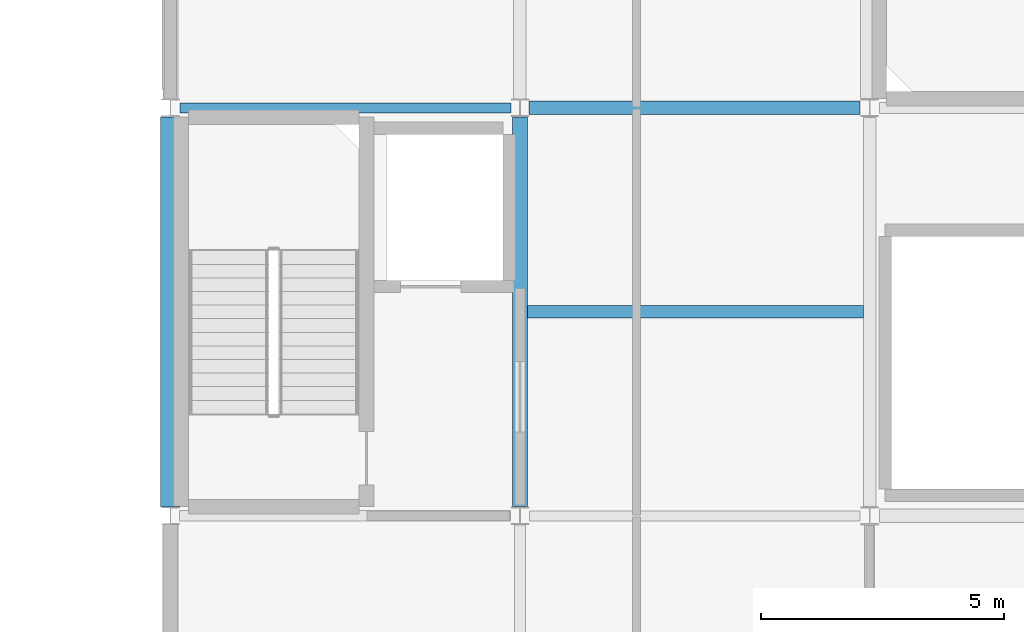
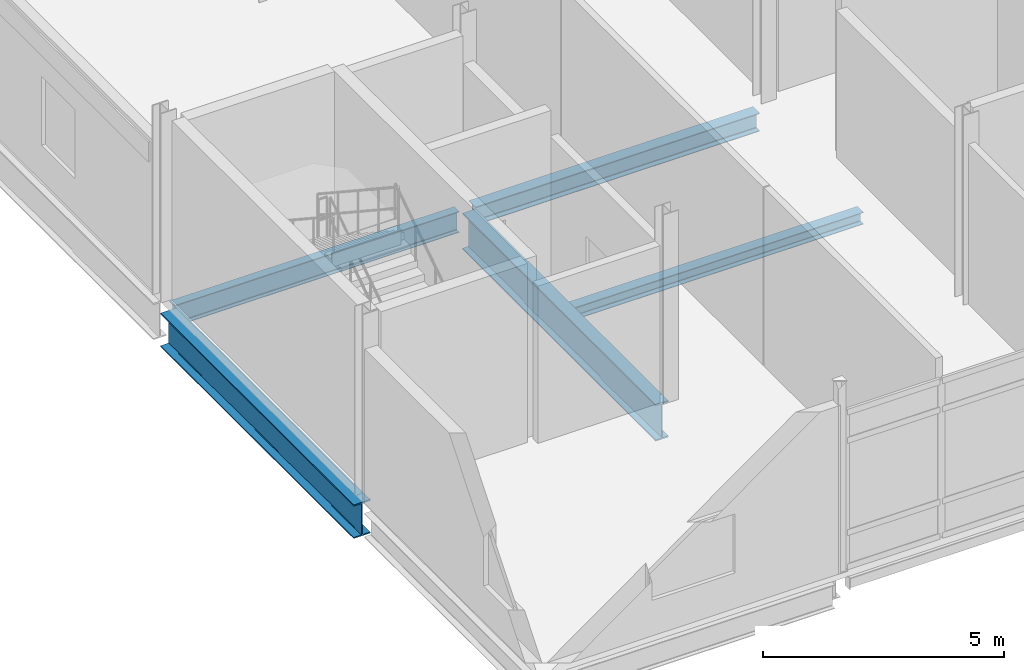
# One storey, part 23 of 72: 5 beams.
"""IFC4 building model written with IfcOpenShell, lengths in metres."""

from ifc_helpers import new_model, si_unit, direction, frame, origin, origin_2d, place, context, subcontext, project, spatial, i_section, extrude, material, material_profile, profile_set, type_object, element, save


model = new_model("IFC4")

# Units and contexts
model_context = context("Model", 3, precision=1e-05, world=origin(), true_north=direction((0.0, 1.0)))
body_context = subcontext(model_context, "Body", "Model", "MODEL_VIEW")
ifc_project = project(units=[si_unit("LENGTHUNIT", "METRE"), si_unit("AREAUNIT", "SQUARE_METRE"), si_unit("VOLUMEUNIT", "CUBIC_METRE"), si_unit("PLANEANGLEUNIT", "RADIAN"), si_unit("MASSUNIT", "GRAM", prefix="KILO")], contexts=[model_context])

# Site, building, storey
site_placement = place(None, origin())
site = spatial("IfcSite", under=ifc_project, at=site_placement, CompositionType="ELEMENT")
building_placement = place(site_placement, origin())
building = spatial("IfcBuilding", under=site, at=building_placement, Name="Calvrana Isthmian Art Gallery", CompositionType="ELEMENT")
storey_placement = place(building_placement, frame((0.0, 0.0, 15.0)))
storey = spatial("IfcBuildingStorey", under=building, at=storey_placement, Name="L03", CompositionType="ELEMENT", Elevation=15.0)

# Beams
ifc_material = material(Name="Steel ASTM A992 Gr 50", Category="steel")
ifc_material_profile_1 = material_profile(ifc_material, i_section(OverallWidth=0.279052734375, OverallDepth=0.4619140625, WebThickness=0.0107421875, FlangeThickness=0.017333984375, FilletRadius=0.02001953125, at=origin_2d()), Name="W18X76")
ifc_profile_set_1 = profile_set([ifc_material_profile_1], Name="Steel ASTM A992 Gr 50")
beam_type_1 = type_object("IfcBeamType", Name="BM-G-W18X76", PredefinedType="BEAM", material=ifc_profile_set_1)
beam_1_placement = place(storey_placement, frame((120.1865234375, 30.0, -0.47607421875), z_axis=(1.0, 0.0, 0.0), x_axis=(0.0, 1.0, 0.0)))
element("IfcBeam", 1, at=beam_1_placement, inside=storey, type_object=beam_type_1, Name="Girder X L03 16-17/E", PredefinedType="BEAM", context=body_context, shape_type="SweptSolid", body=[
    extrude(i_section(OverallWidth=0.279052734375, OverallDepth=0.4619140625, WebThickness=0.0107421875, FlangeThickness=0.017333984375, FilletRadius=0.02001953125, at=origin_2d()), origin(), (0.0, 0.0, 1.0), 6.81396484375),
])
ifc_material_profile_2 = material_profile(ifc_material, i_section(OverallWidth=0.208984375, OverallDepth=0.532958984375, WebThickness=0.01025390625, FlangeThickness=0.015625, FilletRadius=0.02099609375, at=origin_2d()), Name="W21X62")
ifc_profile_set_2 = profile_set([ifc_material_profile_2], Name="Steel ASTM A992 Gr 50")
beam_type_2 = type_object("IfcBeamType", Name="BM-G-W21X62", PredefinedType="BEAM", material=ifc_profile_set_2)
beam_2_placement = place(storey_placement, frame((112.9970703125, 30.0, -0.511474609375), z_axis=(1.0, 0.0, 0.0), x_axis=(0.0, 1.0, 0.0)))
element("IfcBeam", 2, at=beam_2_placement, inside=storey, type_object=beam_type_2, Name="Girder X L03 15-16/E", PredefinedType="BEAM", context=body_context, shape_type="SweptSolid", body=[
    extrude(i_section(OverallWidth=0.208984375, OverallDepth=0.532958984375, WebThickness=0.01025390625, FlangeThickness=0.015625, FilletRadius=0.02099609375, at=origin_2d()), origin(), (0.0, 0.0, 1.0), 6.81640625),
])
ifc_material_profile_3 = material_profile(ifc_material, i_section(OverallWidth=0.40087890625, OverallDepth=0.85595703125, WebThickness=0.018310546875, FlangeThickness=0.029296875, FilletRadius=0.02587890625, at=origin_2d()), Name="W33X201")
ifc_profile_set_3 = profile_set([ifc_material_profile_3], Name="Steel ASTM A992 Gr 50")
beam_type_3 = type_object("IfcBeamType", Name="BM-G-W33X201", PredefinedType="BEAM", material=ifc_profile_set_3)
beam_3_placement = place(storey_placement, frame((112.800048828125, 21.78662109375, -0.673095703125), z_axis=(0.0, 1.0, 0.0), x_axis=(-1.0, 0.0, 0.0)))
element("IfcBeam", 3, at=beam_3_placement, inside=storey, type_object=beam_type_3, Name="Girder Y L03 15/D-E", PredefinedType="BEAM", context=body_context, shape_type="SweptSolid", body=[
    extrude(i_section(OverallWidth=0.40087890625, OverallDepth=0.85595703125, WebThickness=0.018310546875, FlangeThickness=0.029296875, FilletRadius=0.02587890625, at=origin_2d()), origin(), (0.0, 0.0, 1.0), 8.025390625),
])
ifc_material_profile_4 = material_profile(ifc_material, i_section(OverallWidth=0.306884765625, OverallDepth=0.927001953125, WebThickness=0.019287109375, FlangeThickness=0.031982421875, FilletRadius=0.028076171875, at=origin_2d()), Name="W36X194")
ifc_profile_set_4 = profile_set([ifc_material_profile_4], Name="Steel ASTM A992 Gr 50")
beam_type_4 = type_object("IfcBeamType", Name="BM-G-W36X194", PredefinedType="BEAM", material=ifc_profile_set_4)
beam_4_placement = place(storey_placement, frame((120.0, 21.79296875, -0.70849609375), z_axis=(0.0, 1.0, 0.0), x_axis=(-1.0, 0.0, 0.0)))
element("IfcBeam", 4, at=beam_4_placement, inside=storey, type_object=beam_type_4, Name="Girder Y L03 16/D-E", PredefinedType="BEAM", context=body_context, shape_type="SweptSolid", body=[
    extrude(i_section(OverallWidth=0.306884765625, OverallDepth=0.927001953125, WebThickness=0.019287109375, FlangeThickness=0.031982421875, FilletRadius=0.028076171875, at=origin_2d()), origin(), (0.0, 0.0, 1.0), 8.0205078125),
])
ifc_material_profile_5 = material_profile(ifc_material, i_section(OverallWidth=0.25390625, OverallDepth=0.306884765625, WebThickness=0.0087890625, FlangeThickness=0.0146484375, FilletRadius=0.01611328125, at=origin_2d()), Name="W12X53")
ifc_profile_set_5 = profile_set([ifc_material_profile_5], Name="Steel ASTM A992 Gr 50")
beam_type_5 = type_object("IfcBeamType", Name="BM-J-W12X53", PredefinedType="JOIST", material=ifc_profile_set_5)
beam_5_placement = place(storey_placement, frame((120.153564453125, 25.800048828125, -0.3984375), z_axis=(1.0, 0.0, 0.0), x_axis=(0.0, 1.0, 0.0)))
element("IfcBeam", 5, at=beam_5_placement, inside=storey, type_object=beam_type_5, Name="Composite joist L03 bay 15-03", PredefinedType="JOIST", context=body_context, shape_type="SweptSolid", body=[
    extrude(i_section(OverallWidth=0.25390625, OverallDepth=0.306884765625, WebThickness=0.0087890625, FlangeThickness=0.0146484375, FilletRadius=0.01611328125, at=origin_2d()), origin(), (0.0, 0.0, 1.0), 6.91796875),
])

save(model, "model.ifc")
